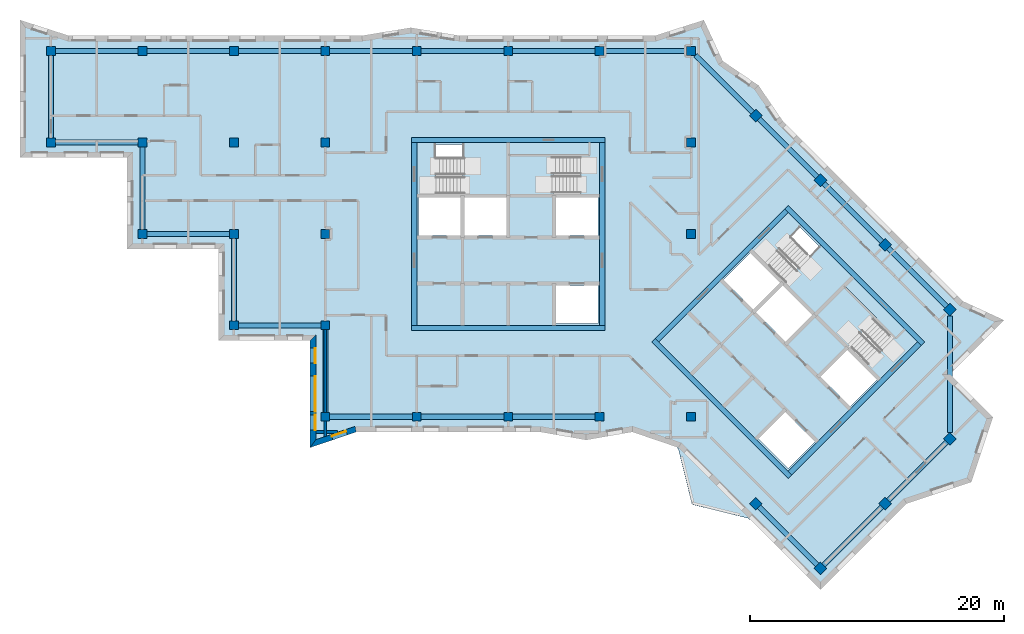
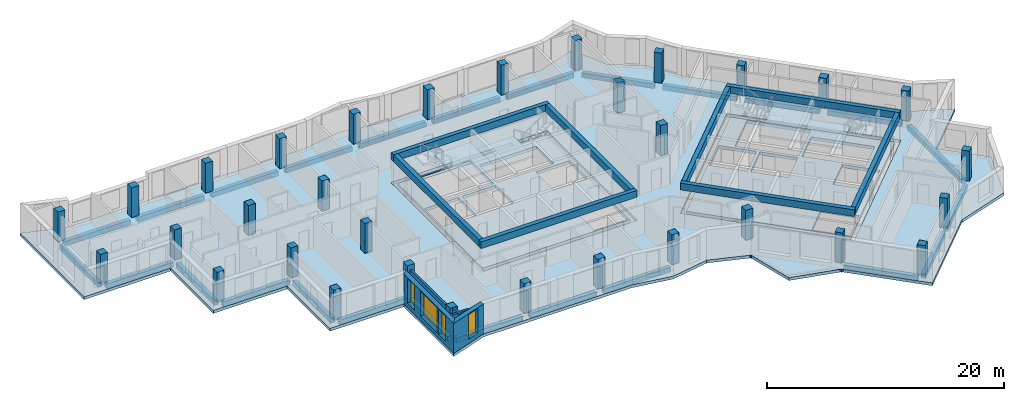
# One storey, part 1 of 11: 33 beams, 32 columns, 7 slabs, 5 walls, 4 windows, 18 openings, 4 elements without a shape of their own.
"""IFC4 building model written with IfcOpenShell, lengths in metres."""

import ifcopenshell
import ifcopenshell.guid

model = None  # the IFC model being written
_history = None  # IfcOwnerHistory: only IFC2X3 demands one
_inside = {}  # id of a spatial element -> (the spatial element, [elements in it])
_under = {}  # id of a project, library or spatial element -> (it, [spatial elements below it])
_declared = {}  # id of a project -> (the project, [libraries it declares])
_typed = {}  # id of a type object -> (the type object, [elements of that type])
_made_of = {}  # id of a material, layer set ... -> (it, [elements and type objects made of it])


def new_model(schema):
    """Start an empty IFC model of exactly this schema.

    Asked for "IFC4X3", IfcOpenShell would pick the latest addendum, in which some entities
    have other attributes; the version numbers below select the first issue.
    IFC2X3 requires an IfcOwnerHistory on every rooted entity: one is made here for all.
    """
    global model, _history
    if schema == "IFC4X3":
        model = ifcopenshell.file(schema_version=(4, 3, 0, 0))
    else:
        model = ifcopenshell.file(schema=schema)
    _inside.clear()
    _under.clear()
    _declared.clear()
    _typed.clear()
    _made_of.clear()
    _history = None
    if model.schema == "IFC2X3":
        org = make("IfcOrganization", Name="unknown")
        user = make(
            "IfcPersonAndOrganization",
            ThePerson=make("IfcPerson", FamilyName="unknown"),
            TheOrganization=org,
        )
        app = make(
            "IfcApplication",
            ApplicationDeveloper=org,
            Version="unknown",
            ApplicationFullName="unknown",
            ApplicationIdentifier="unknown",
        )
        _history = make(
            "IfcOwnerHistory",
            OwningUser=user,
            OwningApplication=app,
            ChangeAction="ADDED",
            CreationDate=0,
        )
    return model


def make(cls, **values):
    """One entity of the class cls with the attributes given. An attribute that is None is left unset."""
    return model.create_entity(
        cls, **{name: value for name, value in values.items() if value is not None}
    )


def rooted(cls, **values):
    """An entity with a GlobalId (a new one), such as an element, a storey or a relation."""
    return make(cls, GlobalId=ifcopenshell.guid.new(), OwnerHistory=_history, **values)


def si_unit(unit_type, name, prefix=None):
    """IfcSIUnit, for example si_unit("LENGTHUNIT", "METRE", prefix="MILLI")."""
    return make("IfcSIUnit", UnitType=unit_type, Prefix=prefix, Name=name)


def assignment(units):
    """IfcUnitAssignment: the units of a project."""
    return None if units is None else make("IfcUnitAssignment", Units=units)


def point(xyz):
    """IfcCartesianPoint."""
    return None if xyz is None else make("IfcCartesianPoint", Coordinates=xyz)


def direction(xyz):
    """IfcDirection."""
    return None if xyz is None else make("IfcDirection", DirectionRatios=xyz)


def frame(location, z_axis=None, x_axis=None):
    """IfcAxis2Placement3D, a coordinate frame: its origin and axes. An axis left out is left unset."""
    return make(
        "IfcAxis2Placement3D",
        Location=point(location),
        Axis=direction(z_axis),
        RefDirection=direction(x_axis),
    )


def frame_2d(location, x_axis=None):
    """IfcAxis2Placement2D, a coordinate frame in the plane: its origin and x axis."""
    return make(
        "IfcAxis2Placement2D", Location=point(location), RefDirection=direction(x_axis)
    )


def origin():
    """The frame at (0, 0, 0) with its axes left unset."""
    return frame((0.0, 0.0, 0.0))


def origin_2d():
    """The frame at (0, 0) in the plane with its x axis left unset."""
    return frame_2d((0.0, 0.0))


def place(relative_to, where):
    """IfcLocalPlacement: puts the frame where relative to a parent placement (None: the world)."""
    return make(
        "IfcLocalPlacement", PlacementRelTo=relative_to, RelativePlacement=where
    )


def context(
    kind, dimensions, precision=None, world=None, true_north=None, identifier=None
):
    """IfcGeometricRepresentationContext, for example the 3D "Model" context."""
    return make(
        "IfcGeometricRepresentationContext",
        ContextIdentifier=identifier,
        ContextType=kind,
        CoordinateSpaceDimension=dimensions,
        Precision=precision,
        WorldCoordinateSystem=world,
        TrueNorth=true_north,
    )


def subcontext(parent, identifier, kind, view, scale=None):
    """IfcGeometricRepresentationSubContext, for example "Body" below "Model"."""
    return make(
        "IfcGeometricRepresentationSubContext",
        ContextIdentifier=identifier,
        ContextType=kind,
        ParentContext=parent,
        TargetScale=scale,
        TargetView=view,
    )


def project(units=None, contexts=None):
    """IfcProject with its units and contexts."""
    return rooted(
        "IfcProject",
        Name="project",
        RepresentationContexts=contexts,
        UnitsInContext=assignment(units),
    )


def spatial(cls, under=None, at=None, **own):
    """A site, building, storey or space (cls), placed at a placement, below another one or the project."""
    s = rooted(cls, ObjectPlacement=at, **own)
    if under is not None:
        _under.setdefault(under.id(), (under, []))[1].append(s)
    return s


def polyline(points):
    """IfcPolyline through the points."""
    return make("IfcPolyline", Points=[point(p) for p in points])


def profile(cls, at=None, kind="AREA", **sizes):
    """A parametric profile (cls). Its sizes go by their IFC names, for example OverallWidth=200.0."""
    return make(cls, ProfileType=kind, Position=at, **sizes)


def rectangle(**sizes):
    """IfcRectangleProfileDef."""
    return profile("IfcRectangleProfileDef", **sizes)


def outline(outer, holes=None, kind="AREA"):
    """IfcArbitraryClosedProfileDef: a profile drawn as a closed curve; with holes, ...WithVoids."""
    if holes is None:
        return make("IfcArbitraryClosedProfileDef", ProfileType=kind, OuterCurve=outer)
    return make(
        "IfcArbitraryProfileDefWithVoids",
        ProfileType=kind,
        OuterCurve=outer,
        InnerCurves=holes,
    )


def extrude(swept, where, along, depth):
    """IfcExtrudedAreaSolid: the profile swept, set in the frame where, extruded along a direction by depth."""
    return make(
        "IfcExtrudedAreaSolid",
        SweptArea=swept,
        Position=where,
        ExtrudedDirection=direction(along),
        Depth=depth,
    )


def shape(context_of_items, identifier, shape_type, items):
    """IfcShapeRepresentation: the items that make up one representation, for example the "Body"."""
    return make(
        "IfcShapeRepresentation",
        ContextOfItems=context_of_items,
        RepresentationIdentifier=identifier,
        RepresentationType=shape_type,
        Items=items,
    )


def material(Name=None, Category=None):
    """IfcMaterial."""
    return make("IfcMaterial", Name=Name, Category=Category)


def layer(
    of_material, thickness, ventilated=None, Name=None, Category=None, Priority=None
):
    """IfcMaterialLayer: one layer of a wall or slab, of a material (None: an air gap)."""
    return make(
        "IfcMaterialLayer",
        Material=of_material,
        LayerThickness=thickness,
        IsVentilated=ventilated,
        Name=Name,
        Category=Category,
        Priority=Priority,
    )


def layer_set(layers, Name=None):
    """IfcMaterialLayerSet."""
    return make("IfcMaterialLayerSet", MaterialLayers=layers, LayerSetName=Name)


def material_profile(
    of_material, cross_section, Name=None, Category=None, Priority=None
):
    """IfcMaterialProfile: a cross section and its material."""
    return make(
        "IfcMaterialProfile",
        Name=Name,
        Material=of_material,
        Profile=cross_section,
        Priority=Priority,
        Category=Category,
    )


def profile_set(profiles, Name=None, composite=None):
    """IfcMaterialProfileSet."""
    return make(
        "IfcMaterialProfileSet",
        Name=Name,
        MaterialProfiles=profiles,
        CompositeProfile=composite,
    )


def made_of(thing, what):
    """Note that an element or type object is made of a material, layer set ...; save() writes the relation."""
    if what is not None:
        _made_of.setdefault(what.id(), (what, []))[1].append(thing)
    return thing


def type_object(cls, material=None, **own):
    """A type object (cls), such as IfcWallType, which elements share."""
    return made_of(rooted(cls, **own), material)


def element(
    cls,
    number,
    at=None,
    inside=None,
    cuts=None,
    type_object=None,
    material=None,
    context=None,
    identifier="Body",
    shape_type=None,
    held_by="IfcProductDefinitionShape",
    body=None,
    shapes=None,
    **own,
):
    """One element of the class cls, such as IfcWall. Its Tag is "e" and its number.

    at: its placement. inside: the storey or other place that contains it. cuts: it is an
    opening in that element (IfcRelVoidsElement). A single representation is given by context,
    identifier, shape_type and body (its items); several are given by shapes. held_by: the class
    of the entity that holds the representations. save() writes the other relations.
    """
    e = rooted(cls, Tag="e%d" % number, ObjectPlacement=at, **own)
    if body is not None:
        shapes = [shape(context, identifier, shape_type, body)]
    if shapes is not None:
        e.Representation = make(held_by, Representations=shapes)
    if inside is not None:
        _inside.setdefault(inside.id(), (inside, []))[1].append(e)
    if cuts is not None:
        rooted(
            "IfcRelVoidsElement", RelatingBuildingElement=cuts, RelatedOpeningElement=e
        )
    if type_object is not None:
        _typed.setdefault(type_object.id(), (type_object, []))[1].append(e)
    return made_of(e, material)


def fill(opening, filler):
    """IfcRelFillsElement: the door or window that sits in an opening."""
    return rooted(
        "IfcRelFillsElement",
        RelatingOpeningElement=opening,
        RelatedBuildingElement=filler,
    )


def aggregate(whole, parts):
    """IfcRelAggregates: a whole, such as a stair, and the parts it consists of."""
    return rooted("IfcRelAggregates", RelatingObject=whole, RelatedObjects=parts)


def save(model, path):
    """Write the relations noted so far, then the file.

    IfcRelAggregates (storeys below a building ...), IfcRelContainedInSpatialStructure (elements
    in a storey), IfcRelDefinesByType, IfcRelAssociatesMaterial and IfcRelDeclares: one each for
    every whole, place, type object, material and project.
    """
    for whole, parts in _under.values():
        aggregate(whole, parts)
    for where, things in _inside.values():
        rooted(
            "IfcRelContainedInSpatialStructure",
            RelatedElements=things,
            RelatingStructure=where,
        )
    for kind, things in _typed.values():
        rooted("IfcRelDefinesByType", RelatedObjects=things, RelatingType=kind)
    for what, things in _made_of.values():
        rooted("IfcRelAssociatesMaterial", RelatedObjects=things, RelatingMaterial=what)
    for by, libraries in _declared.values():
        rooted("IfcRelDeclares", RelatingContext=by, RelatedDefinitions=libraries)
    model.write(path)


model = new_model("IFC4")

# Units and contexts
model_context = context("Model", 3, precision=1e-05, world=origin(), true_north=direction((0.0, 1.0)))
body_context = subcontext(model_context, "Body", "Model", "MODEL_VIEW")
ifc_project = project(units=[si_unit("LENGTHUNIT", "METRE"), si_unit("AREAUNIT", "SQUARE_METRE"), si_unit("VOLUMEUNIT", "CUBIC_METRE"), si_unit("PLANEANGLEUNIT", "RADIAN"), si_unit("MASSUNIT", "GRAM", prefix="KILO")], contexts=[model_context])

# Site, building, storey
site_placement = place(None, origin())
site = spatial("IfcSite", under=ifc_project, at=site_placement, CompositionType="ELEMENT")
building_placement = place(site_placement, origin())
building = spatial("IfcBuilding", under=site, at=building_placement, Name="Windrow Commons", CompositionType="ELEMENT")
storey_placement = place(building_placement, frame((0.0, 0.0, 281.2)))
storey = spatial("IfcBuildingStorey", under=building, at=storey_placement, Name="L77", CompositionType="ELEMENT", Elevation=281.2)

# Columns
ifc_material_1 = material(Name="Concrete C40/50", Category="concrete")
ifc_material_profile_1 = material_profile(ifc_material_1, rectangle(XDim=0.7, YDim=0.7, at=origin_2d()))
ifc_profile_set_1 = profile_set([ifc_material_profile_1], Name="Concrete C40/50")
column_type = type_object("IfcColumnType", Name="RC COLUMN 700x700 C40/50", PredefinedType="COLUMN", material=ifc_profile_set_1)
for number, where, z_axis, x_axis, name in (
    (1, (28.8, 64.8, 0.0), (0.0, 0.0, 1.0), (1.0, 0.0, 0.0), "C-Z5-05I"),
    (2, (28.8, 72.0, 0.0), (0.0, 0.0, 1.0), (1.0, 0.0, 0.0), "C-Z5-05J"),
    (3, (36.0, 57.6, 0.0), (0.0, 0.0, 1.0), (1.0, 0.0, 0.0), "C-Z5-06H"),
    (4, (36.0, 64.8, 0.0), (0.0, 0.0, 1.0), (1.0, 0.0, 0.0), "C-Z5-06I"),
    (5, (36.0, 72.0, 0.0), (0.0, 0.0, 1.0), (1.0, 0.0, 0.0), "C-Z5-06J"),
    (6, (43.2, 50.4, 0.0), (0.0, 0.0, 1.0), (1.0, 0.0, 0.0), "C-Z5-07G"),
    (7, (43.2, 57.6, 0.0), (0.0, 0.0, 1.0), (1.0, 0.0, 0.0), "C-Z5-07H"),
    (8, (43.2, 64.8, 0.0), (0.0, 0.0, 1.0), (1.0, 0.0, 0.0), "C-Z5-07I"),
    (9, (43.2, 72.0, 0.0), (0.0, 0.0, 1.0), (1.0, 0.0, 0.0), "C-Z5-07J"),
    (10, (50.4, 43.2, 0.0), (0.0, 0.0, 1.0), (1.0, 0.0, 0.0), "C-Z5-08F"),
    (11, (50.4, 50.4, 0.0), (0.0, 0.0, 1.0), (1.0, 0.0, 0.0), "C-Z5-08G"),
    (12, (50.4, 57.6, 0.0), (0.0, 0.0, 1.0), (1.0, 0.0, 0.0), "C-Z5-08H"),
    (13, (50.4, 64.8, 0.0), (0.0, 0.0, 1.0), (1.0, 0.0, 0.0), "C-Z5-08I"),
    (14, (50.4, 72.0, 0.0), (0.0, 0.0, 1.0), (1.0, 0.0, 0.0), "C-Z5-08J"),
    (15, (57.6, 43.2, 0.0), (0.0, 0.0, 1.0), (1.0, 0.0, 0.0), "C-Z5-09F"),
    (16, (57.6, 72.0, 0.0), (0.0, 0.0, 1.0), (1.0, 0.0, 0.0), "C-Z5-09J"),
    (17, (64.8, 43.2, 0.0), (0.0, 0.0, 1.0), (1.0, 0.0, 0.0), "C-Z5-10F"),
    (18, (64.8, 72.0, 0.0), (0.0, 0.0, 1.0), (1.0, 0.0, 0.0), "C-Z5-10J"),
    (19, (72.0, 43.2, 0.0), (0.0, 0.0, 1.0), (1.0, 0.0, 0.0), "C-Z5-11F"),
    (20, (72.0, 72.0, 0.0), (0.0, 0.0, 1.0), (1.0, 0.0, 0.0), "C-Z5-11J"),
    (21, (79.2, 43.2, 0.0), (0.0, 0.0, 1.0), (1.0, 0.0, 0.0), "C-Z5-12F"),
    (22, (79.2, 57.6, 0.0), (0.0, 0.0, 1.0), (1.0, 0.0, 0.0), "C-Z5-12H"),
    (23, (79.2, 64.8, 0.0), (0.0, 0.0, 1.0), (1.0, 0.0, 0.0), "C-Z5-12I"),
    (24, (79.2, 72.0, 0.0), (0.0, 0.0, 1.0), (1.0, 0.0, 0.0), "C-Z5-12J"),
    (25, (84.2912, 66.9088, 0.0), (0.0, 0.0, 1.0), (0.7071067812, -0.7071067812, 0.0), "C-Z5-P2Q"),
    (26, (89.3823, 61.8177, 0.0), (0.0, 0.0, 1.0), (0.7071067812, -0.7071067812, 0.0), "C-Z5-P3Q"),
    (27, (94.4735, 56.7265, 0.0), (0.0, 0.0, 1.0), (0.7071067812, -0.7071067812, 0.0), "C-Z5-P4Q"),
    (28, (99.5647, 51.6353, 0.0), (0.0, 0.0, 1.0), (0.7071067812, -0.7071067812, 0.0), "C-Z5-P5Q"),
    (29, (84.2912, 36.3618, 0.0), (0.0, 0.0, 1.0), (0.7071067812, -0.7071067812, 0.0), "C-Z5-P5T"),
    (30, (99.5647, 41.453, 0.0), (0.0, 0.0, 1.0), (0.7071067812, -0.7071067812, 0.0), "C-Z5-P6R"),
    (31, (94.4735, 36.3618, 0.0), (0.0, 0.0, 1.0), (0.7071067812, -0.7071067812, 0.0), "C-Z5-P6S"),
    (32, (89.3823, 31.2706, 0.0), (0.0, 0.0, 1.0), (0.7071067812, -0.7071067812, 0.0), "C-Z5-P6T"),
):
    element("IfcColumn", number, at=place(storey_placement, frame(where, z_axis=z_axis, x_axis=x_axis)), inside=storey, type_object=column_type, Name=name, PredefinedType="COLUMN", context=body_context, shape_type="SweptSolid", body=[
        extrude(rectangle(XDim=0.7, YDim=0.7, at=origin_2d()), origin(), (0.0, 0.0, 1.0), 3.1),
    ])

# Beams
ifc_material_2 = material(Name="Concrete C40/50", Category="concrete")
ifc_material_profile_2 = material_profile(ifc_material_2, rectangle(XDim=0.4, YDim=0.7, at=origin_2d()))
ifc_profile_set_2 = profile_set([ifc_material_profile_2], Name="Concrete C40/50")
beam_type_1 = type_object("IfcBeamType", Name="RC COUPLING BEAM 400x700 C40/50", PredefinedType="LINTEL", material=ifc_profile_set_2)
for number, where, z_axis, x_axis, name in (
    (33, (57.2, 50.2, 2.75), (1.0, 0.0, 0.0), (0.0, 1.0, 0.0), "Core A coupling beam outer-S"),
    (34, (57.2, 65.0, 2.75), (1.0, 0.0, 0.0), (0.0, 1.0, 0.0), "Core A coupling beam outer-N"),
):
    element("IfcBeam", number, at=place(storey_placement, frame(where, z_axis=z_axis, x_axis=x_axis)), inside=storey, type_object=beam_type_1, Name=name, PredefinedType="LINTEL", context=body_context, shape_type="SweptSolid", body=[
        extrude(rectangle(XDim=0.4, YDim=0.7, at=origin_2d()), origin(), (0.0, 0.0, 1.0), 15.2),
    ])
for number, where, z_axis, x_axis, name in (
    (35, (57.4, 50.4, 2.75), (0.0, 1.0, 0.0), (-1.0, 0.0, 0.0), "Core A coupling beam outer-W"),
    (36, (72.2, 50.4, 2.75), (0.0, 1.0, 0.0), (-1.0, 0.0, 0.0), "Core A coupling beam outer-E"),
):
    element("IfcBeam", number, at=place(storey_placement, frame(where, z_axis=z_axis, x_axis=x_axis)), inside=storey, type_object=beam_type_1, Name=name, PredefinedType="LINTEL", context=body_context, shape_type="SweptSolid", body=[
        extrude(rectangle(XDim=0.4, YDim=0.7, at=origin_2d()), origin(), (0.0, 0.0, 1.0), 14.4),
    ])
for number, where, z_axis, x_axis, name in (
    (37, (76.2302, 49.2312, 2.75), (0.7071034917, -0.7071100706, 0.0), (0.7071100706, 0.7071034917, 0.0), "Core B coupling beam outer-S"),
    (38, (86.6953, 59.6963, 2.75), (0.7071100706, -0.7071034917, 0.0), (0.7071034917, 0.7071100706, 0.0), "Core B coupling beam outer-N"),
):
    element("IfcBeam", number, at=place(storey_placement, frame(where, z_axis=z_axis, x_axis=x_axis)), inside=storey, type_object=beam_type_1, Name=name, PredefinedType="LINTEL", context=body_context, shape_type="SweptSolid", body=[
        extrude(rectangle(XDim=0.4, YDim=0.7, at=origin_2d()), origin(), (0.0, 0.0, 1.0), 15.2),
    ])
for number, where, z_axis, x_axis, name in (
    (39, (76.513, 49.2312, 2.75), (0.7071067812, 0.7071067812, 0.0), (-0.7071067812, 0.7071067812, 0.0), "Core B coupling beam outer-W"),
    (40, (86.9782, 38.766, 2.75), (0.7071067812, 0.7071067812, 0.0), (-0.7071067812, 0.7071067812, 0.0), "Core B coupling beam outer-E"),
):
    element("IfcBeam", number, at=place(storey_placement, frame(where, z_axis=z_axis, x_axis=x_axis)), inside=storey, type_object=beam_type_1, Name=name, PredefinedType="LINTEL", context=body_context, shape_type="SweptSolid", body=[
        extrude(rectangle(XDim=0.4, YDim=0.7, at=origin_2d()), origin(), (0.0, 0.0, 1.0), 14.3999),
    ])
ifc_material_3 = material(Name="Concrete C40/50", Category="concrete")
ifc_material_profile_3 = material_profile(ifc_material_3, rectangle(XDim=0.4, YDim=0.5, at=origin_2d()))
ifc_profile_set_3 = profile_set([ifc_material_profile_3], Name="Concrete C40/50")
beam_type_2 = type_object("IfcBeamType", Name="RC EDGE BEAM 400x500 C40/50", PredefinedType="SPANDREL", material=ifc_profile_set_3)
for number, where, z_axis, x_axis, name in (
    (41, (57.25, 43.2, -0.55), (-1.0, 0.0, 0.0), (0.0, -1.0, 0.0), "Edge beam L77 001"),
    (42, (50.4, 43.55, -0.55), (0.0, 1.0, 0.0), (-1.0, 0.0, 0.0), "Edge beam L77 002"),
    (43, (50.05, 50.4, -0.55), (-1.0, 0.0, 0.0), (0.0, -1.0, 0.0), "Edge beam L77 003"),
    (44, (43.2, 50.75, -0.55), (0.0, 1.0, 0.0), (-1.0, 0.0, 0.0), "Edge beam L77 004"),
    (45, (42.85, 57.6, -0.55), (-1.0, 0.0, 0.0), (0.0, -1.0, 0.0), "Edge beam L77 005"),
    (46, (36.0, 57.95, -0.55), (0.0, 1.0, 0.0), (-1.0, 0.0, 0.0), "Edge beam L77 006"),
    (47, (35.65, 64.8, -0.55), (-1.0, 0.0, 0.0), (0.0, -1.0, 0.0), "Edge beam L77 007"),
    (48, (28.8, 65.15, -0.55), (0.0, 1.0, 0.0), (-1.0, 0.0, 0.0), "Edge beam L77 008"),
    (49, (29.15, 72.0, -0.55), (1.0, 0.0, 0.0), (0.0, 1.0, 0.0), "Edge beam L77 009"),
    (50, (36.35, 72.0, -0.55), (1.0, 0.0, 0.0), (0.0, 1.0, 0.0), "Edge beam L77 010"),
    (51, (43.55, 72.0, -0.55), (1.0, 0.0, 0.0), (0.0, 1.0, 0.0), "Edge beam L77 011"),
    (52, (50.75, 72.0, -0.55), (1.0, 0.0, 0.0), (0.0, 1.0, 0.0), "Edge beam L77 012"),
    (53, (57.95, 72.0, -0.55), (1.0, 0.0, 0.0), (0.0, 1.0, 0.0), "Edge beam L77 013"),
    (54, (65.15, 72.0, -0.55), (1.0, 0.0, 0.0), (0.0, 1.0, 0.0), "Edge beam L77 014"),
    (55, (72.35, 72.0, -0.55), (1.0, 0.0, 0.0), (0.0, 1.0, 0.0), "Edge beam L77 015"),
):
    element("IfcBeam", number, at=place(storey_placement, frame(where, z_axis=z_axis, x_axis=x_axis)), inside=storey, type_object=beam_type_2, Name=name, PredefinedType="SPANDREL", context=body_context, shape_type="SweptSolid", body=[
        extrude(rectangle(XDim=0.4, YDim=0.5, at=origin_2d()), origin(), (0.0, 0.0, 1.0), 6.5),
    ])
beam_1_placement = place(storey_placement, frame((79.55, 71.65, -0.55), z_axis=(0.7071067812, -0.7071067812, 0.0), x_axis=(0.7071067812, 0.7071067812, 0.0)))
element("IfcBeam", 56, at=beam_1_placement, inside=storey, type_object=beam_type_2, Name="Edge beam L77 016", PredefinedType="SPANDREL", context=body_context, shape_type="SweptSolid", body=[
    extrude(rectangle(XDim=0.4, YDim=0.5, at=origin_2d()), origin(), (0.0, 0.0, 1.0), 6.3551),
])
beam_2_placement = place(storey_placement, frame((84.5387, 66.6613, -0.55), z_axis=(0.7071067812, -0.7071067812, 0.0), x_axis=(0.7071067812, 0.7071067812, 0.0)))
element("IfcBeam", 57, at=beam_2_placement, inside=storey, type_object=beam_type_2, Name="Edge beam L77 017", PredefinedType="SPANDREL", context=body_context, shape_type="SweptSolid", body=[
    extrude(rectangle(XDim=0.4, YDim=0.5, at=origin_2d()), origin(), (0.0, 0.0, 1.0), 6.4999),
])
for number, where, z_axis, x_axis, name in (
    (58, (89.6298, 61.5702, -0.55), (0.7071067812, -0.7071067812, 0.0), (0.7071067812, 0.7071067812, 0.0), "Edge beam L77 018"),
    (59, (94.721, 56.479, -0.55), (0.7071067812, -0.7071067812, 0.0), (0.7071067812, 0.7071067812, 0.0), "Edge beam L77 019"),
):
    element("IfcBeam", number, at=place(storey_placement, frame(where, z_axis=z_axis, x_axis=x_axis)), inside=storey, type_object=beam_type_2, Name=name, PredefinedType="SPANDREL", context=body_context, shape_type="SweptSolid", body=[
        extrude(rectangle(XDim=0.4, YDim=0.5, at=origin_2d()), origin(), (0.0, 0.0, 1.0), 6.5),
    ])
beam_3_placement = place(storey_placement, frame((99.5647, 51.1403, -0.55), z_axis=(0.0, -1.0, 0.0), x_axis=(1.0, 0.0, 0.0)))
element("IfcBeam", 60, at=beam_3_placement, inside=storey, type_object=beam_type_2, Name="Edge beam L77 020", PredefinedType="SPANDREL", context=body_context, shape_type="SweptSolid", body=[
    extrude(rectangle(XDim=0.4, YDim=0.5, at=origin_2d()), origin(), (0.0, 0.0, 1.0), 9.1923),
])
for number, where, z_axis, x_axis, name in (
    (61, (99.3172, 41.2055, -0.55), (-0.7071067812, -0.7071067812, 0.0), (0.7071067812, -0.7071067812, 0.0), "Edge beam L77 021"),
    (62, (94.226, 36.1143, -0.55), (-0.7071067812, -0.7071067812, 0.0), (0.7071067812, -0.7071067812, 0.0), "Edge beam L77 022"),
):
    element("IfcBeam", number, at=place(storey_placement, frame(where, z_axis=z_axis, x_axis=x_axis)), inside=storey, type_object=beam_type_2, Name=name, PredefinedType="SPANDREL", context=body_context, shape_type="SweptSolid", body=[
        extrude(rectangle(XDim=0.4, YDim=0.5, at=origin_2d()), origin(), (0.0, 0.0, 1.0), 6.5),
    ])
beam_4_placement = place(storey_placement, frame((89.1348, 31.5181, -0.55), z_axis=(-0.7070990888, 0.7071144735, 0.0), x_axis=(-0.7071144735, -0.7070990888, 0.0)))
element("IfcBeam", 63, at=beam_4_placement, inside=storey, type_object=beam_type_2, Name="Edge beam L77 023", PredefinedType="SPANDREL", context=body_context, shape_type="SweptSolid", body=[
    extrude(rectangle(XDim=0.4, YDim=0.5, at=origin_2d()), origin(), (0.0, 0.0, 1.0), 6.4999),
])
for number, where, z_axis, x_axis, name in (
    (64, (71.65, 43.2, -0.55), (-1.0, 0.0, 0.0), (0.0, -1.0, 0.0), "Edge beam L77 024"),
    (65, (64.45, 43.2, -0.55), (-1.0, 0.0, 0.0), (0.0, -1.0, 0.0), "Edge beam L77 025"),
):
    element("IfcBeam", number, at=place(storey_placement, frame(where, z_axis=z_axis, x_axis=x_axis)), inside=storey, type_object=beam_type_2, Name=name, PredefinedType="SPANDREL", context=body_context, shape_type="SweptSolid", body=[
        extrude(rectangle(XDim=0.4, YDim=0.5, at=origin_2d()), origin(), (0.0, 0.0, 1.0), 6.5),
    ])

# Slab, openings
ifc_material_4 = material(Name="Concrete C40/50", Category="concrete")
ifc_layer_1 = layer(ifc_material_4, 0.3)
ifc_layer_set_1 = layer_set([ifc_layer_1], Name="CORE FLOOR SLAB 300 C40/50")
slab_type_1 = type_object("IfcSlabType", Name="CORE FLOOR SLAB 300 C40/50", PredefinedType="FLOOR", material=ifc_layer_set_1)
placement_1 = place(storey_placement, frame((0.0, 0.0, -0.3)))
slab_1 = element("IfcSlab", 66, at=placement_1, inside=storey, type_object=slab_type_1, Name="S-L77-core-A", PredefinedType="FLOOR", context=body_context, shape_type="SweptSolid", body=[
    extrude(outline(polyline([(57.6, 50.4), (72.0, 50.4), (72.0, 64.8), (57.6, 64.8), (57.6, 50.4)]), holes=[polyline([(68.55, 50.55), (71.85, 50.55), (71.85, 53.55), (68.55, 53.55), (68.55, 50.55)]), polyline([(57.75, 57.45), (61.05, 57.45), (61.05, 60.45), (57.75, 60.45), (57.75, 57.45)]), polyline([(61.35, 57.45), (64.65, 57.45), (64.65, 60.45), (61.35, 60.45), (61.35, 57.45)]), polyline([(68.55, 57.45), (71.85, 57.45), (71.85, 60.45), (68.55, 60.45), (68.55, 57.45)]), polyline([(59.1, 60.75), (64.65, 60.75), (64.65, 64.65), (59.1, 64.65), (59.1, 60.75)]), polyline([(64.95, 60.75), (70.5, 60.75), (70.5, 63.705), (64.95, 63.705), (64.95, 60.75)])]), origin(), (0.0, 0.0, 1.0), 0.3),
])
opening_1_placement = place(placement_1, origin())
element("IfcOpeningElement", 67, at=opening_1_placement, cuts=slab_1, Name="Slab opening S-L77-core-A 1", PredefinedType="OPENING", context=body_context, shape_type="SweptSolid", body=[
    extrude(outline(polyline([(68.555, 50.555), (68.555, 53.545), (71.845, 53.545), (71.845, 50.555), (68.555, 50.555)])), origin(), (0.0, 0.0, 1.0), 0.3),
])
opening_2_placement = place(placement_1, origin())
element("IfcOpeningElement", 68, at=opening_2_placement, cuts=slab_1, Name="Slab opening S-L77-core-A 2", PredefinedType="OPENING", context=body_context, shape_type="SweptSolid", body=[
    extrude(outline(polyline([(57.755, 57.455), (57.755, 60.445), (61.045, 60.445), (61.045, 57.455), (57.755, 57.455)])), origin(), (0.0, 0.0, 1.0), 0.3),
])
opening_3_placement = place(placement_1, origin())
element("IfcOpeningElement", 69, at=opening_3_placement, cuts=slab_1, Name="Slab opening S-L77-core-A 3", PredefinedType="OPENING", context=body_context, shape_type="SweptSolid", body=[
    extrude(outline(polyline([(61.355, 57.455), (61.355, 60.445), (64.645, 60.445), (64.645, 57.455), (61.355, 57.455)])), origin(), (0.0, 0.0, 1.0), 0.3),
])
opening_4_placement = place(placement_1, origin())
element("IfcOpeningElement", 70, at=opening_4_placement, cuts=slab_1, Name="Slab opening S-L77-core-A 4", PredefinedType="OPENING", context=body_context, shape_type="SweptSolid", body=[
    extrude(outline(polyline([(68.555, 57.455), (68.555, 60.445), (71.845, 60.445), (71.845, 57.455), (68.555, 57.455)])), origin(), (0.0, 0.0, 1.0), 0.3),
])
opening_5_placement = place(placement_1, origin())
element("IfcOpeningElement", 71, at=opening_5_placement, cuts=slab_1, Name="Slab opening S-L77-core-A 5", PredefinedType="OPENING", context=body_context, shape_type="SweptSolid", body=[
    extrude(outline(polyline([(59.105, 60.755), (59.105, 64.645), (64.645, 64.645), (64.645, 60.755), (59.105, 60.755)])), origin(), (0.0, 0.0, 1.0), 0.3),
])
opening_6_placement = place(placement_1, origin())
element("IfcOpeningElement", 72, at=opening_6_placement, cuts=slab_1, Name="Slab opening S-L77-core-A 6", PredefinedType="OPENING", context=body_context, shape_type="SweptSolid", body=[
    extrude(outline(polyline([(64.955, 60.755), (64.955, 63.7), (70.495, 63.7), (70.495, 60.755), (64.955, 60.755)])), origin(), (0.0, 0.0, 1.0), 0.3),
])

slab_2 = element("IfcSlab", 73, at=placement_1, inside=storey, type_object=slab_type_1, Name="S-L77-core-B", PredefinedType="FLOOR", context=body_context, shape_type="SweptSolid", body=[
    extrude(outline(polyline([(76.6544, 49.0897), (86.8368, 38.9074), (97.0191, 49.0897), (86.8368, 59.2721), (76.6544, 49.0897)]), holes=[polyline([(84.5033, 41.453), (86.8368, 39.1195), (88.9581, 41.2409), (86.6246, 43.5743), (84.5033, 41.453)]), polyline([(81.7456, 53.9688), (84.079, 51.6353), (86.2004, 53.7566), (83.8669, 56.0901), (81.7456, 53.9688)]), polyline([(84.2912, 51.4232), (86.6246, 49.0897), (88.7459, 51.2111), (86.4125, 53.5445), (84.2912, 51.4232)]), polyline([(89.3823, 46.332), (91.7158, 43.9986), (93.8371, 46.1199), (91.5037, 48.4533), (89.3823, 46.332)]), polyline([(85.0336, 55.3476), (88.9581, 51.4232), (91.7158, 54.1809), (87.7913, 58.1054), (85.0336, 55.3476)]), polyline([(89.1702, 51.2111), (93.0946, 47.2866), (95.1841, 49.3761), (91.2597, 53.3006), (89.1702, 51.2111)])]), origin(), (0.0, 0.0, 1.0), 0.3),
])
opening_7_placement = place(placement_1, origin())
element("IfcOpeningElement", 74, at=opening_7_placement, cuts=slab_2, Name="Slab opening S-L77-core-B 1", PredefinedType="OPENING", context=body_context, shape_type="SweptSolid", body=[
    extrude(outline(polyline([(84.5104, 41.453), (86.6246, 43.5672), (88.951, 41.2409), (86.8368, 39.1266), (84.5104, 41.453)])), origin(), (0.0, 0.0, 1.0), 0.3),
])
opening_8_placement = place(placement_1, origin())
element("IfcOpeningElement", 75, at=opening_8_placement, cuts=slab_2, Name="Slab opening S-L77-core-B 2", PredefinedType="OPENING", context=body_context, shape_type="SweptSolid", body=[
    extrude(outline(polyline([(81.7527, 53.9688), (83.8669, 56.083), (86.1933, 53.7566), (84.079, 51.6424), (81.7527, 53.9688)])), origin(), (0.0, 0.0, 1.0), 0.3),
])
opening_9_placement = place(placement_1, origin())
element("IfcOpeningElement", 76, at=opening_9_placement, cuts=slab_2, Name="Slab opening S-L77-core-B 3", PredefinedType="OPENING", context=body_context, shape_type="SweptSolid", body=[
    extrude(outline(polyline([(84.2983, 51.4232), (86.4125, 53.5374), (88.7388, 51.2111), (86.6246, 49.0968), (84.2983, 51.4232)])), origin(), (0.0, 0.0, 1.0), 0.3),
])
opening_10_placement = place(placement_1, origin())
element("IfcOpeningElement", 77, at=opening_10_placement, cuts=slab_2, Name="Slab opening S-L77-core-B 4", PredefinedType="OPENING", context=body_context, shape_type="SweptSolid", body=[
    extrude(outline(polyline([(89.3894, 46.332), (91.5037, 48.4462), (93.83, 46.1199), (91.7158, 44.0057), (89.3894, 46.332)])), origin(), (0.0, 0.0, 1.0), 0.3),
])
opening_11_placement = place(placement_1, origin())
element("IfcOpeningElement", 78, at=opening_11_placement, cuts=slab_2, Name="Slab opening S-L77-core-B 5", PredefinedType="OPENING", context=body_context, shape_type="SweptSolid", body=[
    extrude(outline(polyline([(85.0407, 55.3476), (87.7913, 58.0983), (91.7087, 54.1809), (88.9581, 51.4303), (85.0407, 55.3476)])), origin(), (0.0, 0.0, 1.0), 0.3),
])
opening_12_placement = place(placement_1, origin())
element("IfcOpeningElement", 79, at=opening_12_placement, cuts=slab_2, Name="Slab opening S-L77-core-B 6", PredefinedType="OPENING", context=body_context, shape_type="SweptSolid", body=[
    extrude(outline(polyline([(89.1773, 51.2111), (91.2597, 53.2935), (95.177, 49.3761), (93.0946, 47.2937), (89.1773, 51.2111)])), origin(), (0.0, 0.0, 1.0), 0.3),
])

# Stair, slab
ifc_material_5 = material(Name="Concrete C40/50", Category="concrete")
stair_type = type_object("IfcStairType", Name="Core stair", PredefinedType="HALF_TURN_STAIR", material=ifc_material_5)
placement_2 = place(storey_placement, origin())
stair_1 = element("IfcStair", 80, at=placement_2, inside=storey, type_object=stair_type, Name="L77 Exit stair A1 core A", PredefinedType="HALF_TURN_STAIR")
ifc_material_6 = material(Name="Concrete C40/50", Category="concrete")
ifc_layer_2 = layer(ifc_material_6, 0.2)
ifc_layer_set_2 = layer_set([ifc_layer_2], Name="Core stair landing")
slab_type_2 = type_object("IfcSlabType", Name="Core stair landing", PredefinedType="LANDING", material=ifc_layer_set_2)
placement_3 = place(storey_placement, frame((0.0, 0.0, 1.5)))
slab_3 = element("IfcSlab", 81, at=placement_3, type_object=slab_type_2, Name="ST-A1 landing 1", PredefinedType="LANDING", context=body_context, shape_type="SweptSolid", body=[
    extrude(outline(polyline([(61.22, 60.5), (64.8, 60.5), (64.8, 64.9), (61.22, 64.9), (61.22, 60.5)])), origin(), (0.0, 0.0, 1.0), 0.2),
])
aggregate(stair_1, [slab_3])

stair_2 = element("IfcStair", 82, at=placement_2, inside=storey, type_object=stair_type, Name="L77 Exit stair A2 core A", PredefinedType="HALF_TURN_STAIR")
slab_4 = element("IfcSlab", 83, at=placement_3, type_object=slab_type_2, Name="ST-A2 landing 1", PredefinedType="LANDING", context=body_context, shape_type="SweptSolid", body=[
    extrude(outline(polyline([(64.8, 60.5), (68.38, 60.5), (68.38, 63.855), (64.8, 63.855), (64.8, 60.5)])), origin(), (0.0, 0.0, 1.0), 0.2),
])
aggregate(stair_2, [slab_4])

stair_3 = element("IfcStair", 84, at=placement_2, inside=storey, type_object=stair_type, Name="L77 Exit stair B1 core B", PredefinedType="HALF_TURN_STAIR")
slab_5 = element("IfcSlab", 85, at=placement_3, type_object=slab_type_2, Name="ST-B1 landing 1", PredefinedType="LANDING", context=body_context, shape_type="SweptSolid", body=[
    extrude(outline(polyline([(86.3559, 53.6718), (88.8874, 51.1403), (91.9986, 54.2516), (89.4672, 56.7831), (86.3559, 53.6718)])), origin(), (0.0, 0.0, 1.0), 0.2),
])
aggregate(stair_3, [slab_5])

stair_4 = element("IfcStair", 86, at=placement_2, inside=storey, type_object=stair_type, Name="L77 Exit stair B2 core B", PredefinedType="HALF_TURN_STAIR")
slab_6 = element("IfcSlab", 87, at=placement_3, type_object=slab_type_2, Name="ST-B2 landing 1", PredefinedType="LANDING", context=body_context, shape_type="SweptSolid", body=[
    extrude(outline(polyline([(88.8874, 51.1403), (91.4188, 48.6089), (93.7911, 50.9812), (91.2597, 53.5127), (88.8874, 51.1403)])), origin(), (0.0, 0.0, 1.0), 0.2),
])
aggregate(stair_4, [slab_6])

# Slab, openings
ifc_material_7 = material(Name="Concrete C40/50", Category="concrete")
ifc_layer_3 = layer(ifc_material_7, 0.3)
ifc_layer_set_3 = layer_set([ifc_layer_3], Name="FLOOR SLAB 300 C40/50")
slab_type_3 = type_object("IfcSlabType", Name="FLOOR SLAB 300 C40/50", PredefinedType="FLOOR", material=ifc_layer_set_3)
slab_7 = element("IfcSlab", 88, at=placement_1, inside=storey, type_object=slab_type_3, Name="S-L77-floor", PredefinedType="FLOOR", context=body_context, shape_type="SweptSolid", body=[
    extrude(outline(polyline([(83.74, 35.131), (83.8526, 35.1033), (89.3823, 29.5736), (96.1705, 36.3618), (101.2617, 38.0588), (102.9588, 43.15), (99.5647, 46.5442), (103.8285, 50.808), (100.5963, 52.3008), (91.1463, 61.7508), (86.4213, 66.4758), (84.5043, 69.2837), (81.6963, 71.2008), (80.2036, 74.433), (76.3581, 73.2), (60.9762, 73.2), (57.1308, 73.833), (53.2853, 73.2), (30.2125, 73.2), (26.367, 74.433), (26.367, 63.6), (34.8, 63.6), (34.8, 56.4), (42.0, 56.4), (42.0, 49.2), (49.2, 49.2), (49.2, 40.767), (52.8236, 42.0), (67.3181, 42.0), (70.9417, 41.367), (74.5653, 42.0), (78.0968, 40.7983), (78.1138, 40.7292), (78.1563, 40.7147), (78.1866, 40.6844), (79.2677, 36.2941), (83.658, 35.213), (83.74, 35.131)]), holes=[polyline([(86.8368, 38.3417), (76.0887, 49.0897), (86.8368, 59.8378), (97.5848, 49.0897), (86.8368, 38.3417)]), polyline([(72.4, 50.0), (57.2, 50.0), (57.2, 65.2), (72.4, 65.2), (72.4, 50.0)])]), origin(), (0.0, 0.0, 1.0), 0.3),
])
opening_13_placement = place(placement_1, origin())
element("IfcOpeningElement", 89, at=opening_13_placement, cuts=slab_7, Name="Slab opening S-L77-floor 1", PredefinedType="OPENING", context=body_context, shape_type="SweptSolid", body=[
    extrude(outline(polyline([(86.8368, 38.3488), (76.0958, 49.0897), (86.8368, 59.8307), (97.5777, 49.0897), (86.8368, 38.3488)])), origin(), (0.0, 0.0, 1.0), 0.3),
])
opening_14_placement = place(placement_1, origin())
element("IfcOpeningElement", 90, at=opening_14_placement, cuts=slab_7, Name="Slab opening S-L77-floor 2", PredefinedType="OPENING", context=body_context, shape_type="SweptSolid", body=[
    extrude(outline(polyline([(72.395, 50.005), (57.205, 50.005), (57.205, 65.195), (72.395, 65.195), (72.395, 50.005)])), origin(), (0.0, 0.0, 1.0), 0.3),
])

# Wall, openings, windows
ifc_material_8 = material(Name="Brick masonry, red clay brick", Category="masonry")
ifc_layer_4 = layer(ifc_material_8, 0.45)
ifc_layer_set_4 = layer_set([ifc_layer_4], Name="Brick facade wall 450")
wall_type_1 = type_object("IfcWallType", Name="Brick facade wall 450", PredefinedType="SOLIDWALL", material=ifc_layer_set_4)
wall_1_placement = place(storey_placement, frame((49.425, 49.425, 0.0), z_axis=(0.0, 0.0, 1.0), x_axis=(0.0, -1.0, 0.0)))
wall_1 = element("IfcWall", 91, at=wall_1_placement, inside=storey, type_object=wall_type_1, Name="Brick facade wall L77 28", PredefinedType="SOLIDWALL", context=body_context, shape_type="SweptSolid", body=[
    extrude(outline(polyline([(0.225, -0.225), (8.658, -0.225), (8.0295, 0.225), (-0.225, 0.225), (0.225, -0.225)])), origin(), (0.0, 0.0, 1.0), 3.1),
])
opening_15_placement = place(wall_1_placement, frame((3.025, 0.0, 0.45)))
opening_15 = element("IfcOpeningElement", 92, at=opening_15_placement, cuts=wall_1, Name="Opening W1V", PredefinedType="OPENING", context=body_context, shape_type="SweptSolid", body=[
    extrude(rectangle(XDim=2.8, YDim=2.55, at=frame_2d((1.4, 1.275))), frame((0.0, 0.235, 0.0), z_axis=(0.0, -1.0, 0.0), x_axis=(1.0, 0.0, 0.0)), (0.0, 0.0, 1.0), 0.47),
])
opening_16_placement = place(wall_1_placement, frame((0.8125, 0.0, 0.45)))
opening_16 = element("IfcOpeningElement", 93, at=opening_16_placement, cuts=wall_1, Name="Opening W7F", PredefinedType="OPENING", context=body_context, shape_type="SweptSolid", body=[
    extrude(rectangle(XDim=1.2, YDim=2.55, at=frame_2d((0.6, 1.275))), frame((0.0, 0.235, 0.0), z_axis=(0.0, -1.0, 0.0), x_axis=(1.0, 0.0, 0.0)), (0.0, 0.0, 1.0), 0.47),
])
opening_17_placement = place(wall_1_placement, frame((6.0773, 0.0, 0.45)))
opening_17 = element("IfcOpeningElement", 94, at=opening_17_placement, cuts=wall_1, Name="Opening W7F", PredefinedType="OPENING", context=body_context, shape_type="SweptSolid", body=[
    extrude(rectangle(XDim=1.2, YDim=2.55, at=frame_2d((0.6, 1.275))), frame((0.0, 0.235, 0.0), z_axis=(0.0, -1.0, 0.0), x_axis=(1.0, 0.0, 0.0)), (0.0, 0.0, 1.0), 0.47),
])
ifc_material_9 = material(Name="Clear float glass in anodised aluminium frame", Category="aluminium")
window_type_1 = type_object("IfcWindowType", Name="Window W1V bedroom 2800x2550", PartitioningType="SINGLE_PANEL", PredefinedType="WINDOW", material=ifc_material_9)
window_1_placement = place(opening_15_placement, origin())
window_1 = element("IfcWindow", 95, at=window_1_placement, inside=storey, type_object=window_type_1, Name="Window L77 28.1", OverallHeight=2.55, OverallWidth=2.8, PartitioningType="SINGLE_PANEL", PredefinedType="WINDOW", context=body_context, shape_type="SweptSolid", body=[
    extrude(rectangle(XDim=2.8, YDim=2.55, at=frame_2d((1.4, 1.275))), frame((0.0, 0.205, 0.0), z_axis=(0.0, -1.0, 0.0), x_axis=(1.0, 0.0, 0.0)), (0.0, 0.0, 1.0), 0.06),
])
fill(opening_15, window_1)
ifc_material_10 = material(Name="Clear float glass in anodised aluminium frame", Category="aluminium")
window_type_2 = type_object("IfcWindowType", Name="Window W7 notch 1200x2550", PartitioningType="SINGLE_PANEL", PredefinedType="WINDOW", material=ifc_material_10)
window_2_placement = place(opening_16_placement, origin())
window_2 = element("IfcWindow", 96, at=window_2_placement, inside=storey, type_object=window_type_2, Name="Window L77 28.2", OverallHeight=2.55, OverallWidth=1.2, PartitioningType="SINGLE_PANEL", PredefinedType="WINDOW", context=body_context, shape_type="SweptSolid", body=[
    extrude(rectangle(XDim=1.2, YDim=2.55, at=frame_2d((0.6, 1.275))), frame((0.0, 0.205, 0.0), z_axis=(0.0, -1.0, 0.0), x_axis=(1.0, 0.0, 0.0)), (0.0, 0.0, 1.0), 0.06),
])
fill(opening_16, window_2)
window_3_placement = place(opening_17_placement, origin())
window_3 = element("IfcWindow", 97, at=window_3_placement, inside=storey, type_object=window_type_2, Name="Window L77 28.3", OverallHeight=2.55, OverallWidth=1.2, PartitioningType="SINGLE_PANEL", PredefinedType="WINDOW", context=body_context, shape_type="SweptSolid", body=[
    extrude(rectangle(XDim=1.2, YDim=2.55, at=frame_2d((0.6, 1.275))), frame((0.0, 0.205, 0.0), z_axis=(0.0, -1.0, 0.0), x_axis=(1.0, 0.0, 0.0)), (0.0, 0.0, 1.0), 0.06),
])
fill(opening_17, window_3)

# Wall, opening, window
wall_2_placement = place(storey_placement, frame((49.425, 41.0812, 0.0), z_axis=(0.0, 0.0, 1.0), x_axis=(0.9466934054, 0.3221359901, 0.0)))
wall_2 = element("IfcWall", 98, at=wall_2_placement, inside=storey, type_object=wall_type_1, Name="Brick facade wall L77 29", PredefinedType="SOLIDWALL", context=body_context, shape_type="SweptSolid", body=[
    extrude(outline(polyline([(-0.3142, -0.225), (3.5134, -0.225), (3.5879, 0.225), (0.3142, 0.225), (-0.3142, -0.225)])), origin(), (0.0, 0.0, 1.0), 3.1),
])
opening_18_placement = place(wall_2_placement, frame((1.5903, 0.0, 0.45)))
opening_18 = element("IfcOpeningElement", 99, at=opening_18_placement, cuts=wall_2, Name="Opening W7F", PredefinedType="OPENING", context=body_context, shape_type="SweptSolid", body=[
    extrude(rectangle(XDim=1.2, YDim=2.55, at=frame_2d((0.6, 1.275))), frame((0.0, 0.235, 0.0), z_axis=(0.0, -1.0, 0.0), x_axis=(1.0, 0.0, 0.0)), (0.0, 0.0, 1.0), 0.47),
])
window_4_placement = place(opening_18_placement, origin())
window_4 = element("IfcWindow", 100, at=window_4_placement, inside=storey, type_object=window_type_2, Name="Window L77 29.1", OverallHeight=2.55, OverallWidth=1.2, PartitioningType="SINGLE_PANEL", PredefinedType="WINDOW", context=body_context, shape_type="SweptSolid", body=[
    extrude(rectangle(XDim=1.2, YDim=2.55, at=frame_2d((0.6, 1.275))), frame((0.0, 0.115, 0.0), z_axis=(0.0, -1.0, 0.0), x_axis=(1.0, 0.0, 0.0)), (0.0, 0.0, 1.0), 0.06),
])
fill(opening_18, window_4)

# Walls
ifc_material_11 = material(Name="Blockwork partition", Category="masonry")
ifc_layer_5 = layer(ifc_material_11, 0.2)
ifc_layer_set_5 = layer_set([ifc_layer_5], Name="IW-PARTY-200")
wall_type_2 = type_object("IfcWallType", Name="IW-PARTY-200", PredefinedType="PARTITIONING", material=ifc_layer_set_5)
wall_3_placement = place(storey_placement, frame((50.4, 43.55, 0.0), z_axis=(0.0, 0.0, 1.0), x_axis=(0.0, 1.0, 0.0)))
element("IfcWall", 101, at=wall_3_placement, inside=storey, type_object=wall_type_2, Name="W-L77-W021", PredefinedType="PARTITIONING", context=body_context, shape_type="SweptSolid", body=[
    extrude(rectangle(XDim=6.5, YDim=0.2, at=frame_2d((3.25, 0.0))), origin(), (0.0, 0.0, 1.0), 2.6),
])
wall_4_placement = place(storey_placement, frame((49.65, 42.0, 0.0), z_axis=(0.0, 0.0, 1.0), x_axis=(1.0, 0.0, 0.0)))
element("IfcWall", 102, at=wall_4_placement, inside=storey, type_object=wall_type_2, Name="W-L77-W103", PredefinedType="PARTITIONING", context=body_context, shape_type="SweptSolid", body=[
    extrude(rectangle(XDim=1.7267, YDim=0.2, at=frame_2d((0.8633, 0.0))), origin(), (0.0, 0.0, 1.0), 3.1),
])
wall_5_placement = place(storey_placement, frame((50.4, 41.6507, 0.0), z_axis=(0.0, 0.0, 1.0), x_axis=(0.0, 1.0, 0.0)))
element("IfcWall", 103, at=wall_5_placement, inside=storey, type_object=wall_type_2, Name="W-L77-W116", PredefinedType="PARTITIONING", context=body_context, shape_type="SweptSolid", body=[
    extrude(rectangle(XDim=1.1993, YDim=0.2, at=frame_2d((0.5997, 0.0))), origin(), (0.0, 0.0, 1.0), 3.1),
])

save(model, "model.ifc")
